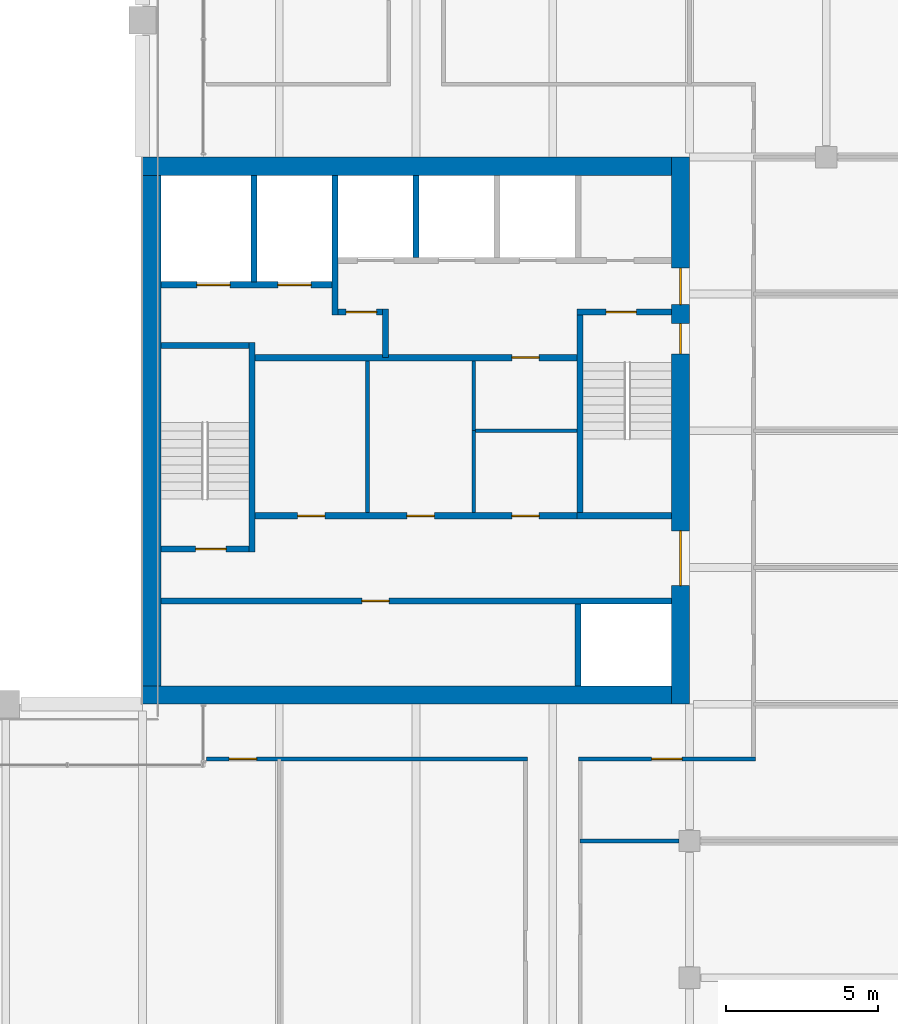
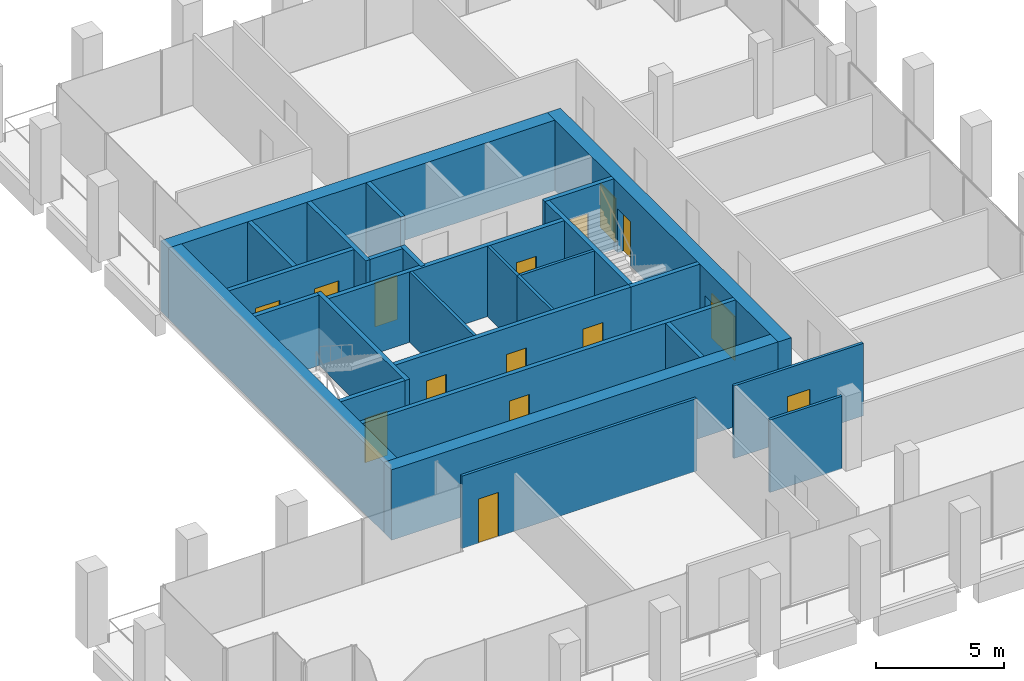
# One storey, part 38 of 44: 27 walls, 15 doors, 15 openings.
"""IFC4 building model written with IfcOpenShell, lengths in metres."""

from ifc_helpers import new_model, si_unit, direction, frame, frame_2d, origin, place, context, subcontext, project, spatial, rectangle, extrude, material, layer, layer_set, type_object, element, fill, save


model = new_model("IFC4")

# Units and contexts
model_context = context("Model", 3, precision=1e-05, world=origin(), true_north=direction((0.0, 1.0)))
body_context = subcontext(model_context, "Body", "Model", "MODEL_VIEW")
ifc_project = project(units=[si_unit("LENGTHUNIT", "METRE"), si_unit("AREAUNIT", "SQUARE_METRE"), si_unit("VOLUMEUNIT", "CUBIC_METRE"), si_unit("PLANEANGLEUNIT", "RADIAN"), si_unit("MASSUNIT", "GRAM", prefix="KILO")], contexts=[model_context])

# Site, building, storey
site_placement = place(None, origin())
site = spatial("IfcSite", under=ifc_project, at=site_placement, CompositionType="ELEMENT")
building_placement = place(site_placement, origin())
building = spatial("IfcBuilding", under=site, at=building_placement, Name="Altepetl Exchange Towers", CompositionType="ELEMENT")
storey_placement = place(building_placement, frame((0.0, 0.0, 143.800048828125)))
storey = spatial("IfcBuildingStorey", under=building, at=storey_placement, Name="L35", CompositionType="ELEMENT", Elevation=143.800048828125)

# Wall, openings, doors
ifc_material_1 = material(Name="Concrete C70/85", Category="concrete")
ifc_layer_1 = layer(ifc_material_1, 0.60009765625)
ifc_layer_set_1 = layer_set([ifc_layer_1], Name="Concrete C70/85")
wall_type_1 = type_object("IfcWallType", Name="Core wall 600 reinforced concrete", PredefinedType="SHEAR", material=ifc_layer_set_1)
wall_1_placement = place(storey_placement, frame((58.199951171875, 40.5, 0.0), z_axis=(0.0, 0.0, 1.0), x_axis=(0.0, 1.0, 0.0)))
wall_1 = element("IfcWall", 1, at=wall_1_placement, inside=storey, type_object=wall_type_1, Name="wall:A:L35:K-coreE", PredefinedType="SHEAR", context=body_context, shape_type="SweptSolid", body=[
    extrude(rectangle(XDim=18.0, YDim=0.60009765625, at=frame_2d((9.0, 0.0))), origin(), (0.0, 0.0, 1.0), 3.349853515625),
])
opening_1_placement = place(wall_1_placement, frame((13.14990234375, 0.0, 0.0)))
opening_1 = element("IfcOpeningElement", 2, at=opening_1_placement, cuts=wall_1, Name="Opening L35.A60", PredefinedType="OPENING", context=body_context, shape_type="SweptSolid", body=[
    extrude(rectangle(XDim=1.199951171875, YDim=2.10009765625, at=frame_2d((0.60009765625, 1.050048828125))), frame((0.0, 0.31005859375, 0.0), z_axis=(0.0, -1.0, 0.0), x_axis=(1.0, 0.0, 0.0)), (0.0, 0.0, 1.0), 0.6201171875),
])
opening_2_placement = place(wall_1_placement, frame((3.89990234375, 0.0, 0.0)))
opening_2 = element("IfcOpeningElement", 3, at=opening_2_placement, cuts=wall_1, Name="Opening L35.A61", PredefinedType="OPENING", context=body_context, shape_type="SweptSolid", body=[
    extrude(rectangle(XDim=1.800048828125, YDim=2.10009765625, at=frame_2d((0.89990234375, 1.050048828125))), frame((0.0, 0.31005859375, 0.0), z_axis=(0.0, -1.0, 0.0), x_axis=(1.0, 0.0, 0.0)), (0.0, 0.0, 1.0), 0.6201171875),
])
opening_3_placement = place(wall_1_placement, frame((11.52490234375, 0.0, 0.0)))
opening_3 = element("IfcOpeningElement", 4, at=opening_3_placement, cuts=wall_1, Name="Opening L35.A64", PredefinedType="OPENING", context=body_context, shape_type="SweptSolid", body=[
    extrude(rectangle(XDim=1.0, YDim=2.10009765625, at=frame_2d((0.5, 1.050048828125))), frame((0.0, 0.31005859375, 0.0), z_axis=(0.0, -1.0, 0.0), x_axis=(1.0, 0.0, 0.0)), (0.0, 0.0, 1.0), 0.6201171875),
])
ifc_material_2 = material(Name="Steel and timber fire door", Category="steel")
door_type_1 = type_object("IfcDoorType", Name="Fire door 1000 x 2100 stair and lobby", OperationType="SINGLE_SWING_LEFT", PredefinedType="DOOR", material=ifc_material_2)
door_1_placement = place(opening_3_placement, origin())
door_1 = element("IfcDoor", 5, at=door_1_placement, inside=storey, type_object=door_type_1, Name="door:A:L35:K-dS2x", OperationType="SINGLE_SWING_RIGHT", OverallHeight=2.10009765625, OverallWidth=1.0, PredefinedType="DOOR", context=body_context, shape_type="SweptSolid", body=[
    extrude(rectangle(XDim=1.0, YDim=2.10009765625, at=frame_2d((0.5, 1.050048828125))), frame((0.0, 0.02490234375, 0.0), z_axis=(0.0, -1.0, 0.0), x_axis=(1.0, 0.0, 0.0)), (0.0, 0.0, 1.0), 0.050048828125),
])
fill(opening_3, door_1)
door_type_2 = type_object("IfcDoorType", Name="Fire door 1200 x 2100 lobby entry", OperationType="SINGLE_SWING_LEFT", PredefinedType="DOOR", material=ifc_material_2)
door_2_placement = place(opening_1_placement, origin())
door_2 = element("IfcDoor", 6, at=door_2_placement, inside=storey, type_object=door_type_2, Name="door:A:L35:K-dLNE", OperationType="SINGLE_SWING_RIGHT", OverallHeight=2.10009765625, OverallWidth=1.199951171875, PredefinedType="DOOR", context=body_context, shape_type="SweptSolid", body=[
    extrude(rectangle(XDim=1.199951171875, YDim=2.10009765625, at=frame_2d((0.60009765625, 1.050048828125))), frame((0.0, 0.02490234375, 0.0), z_axis=(0.0, -1.0, 0.0), x_axis=(1.0, 0.0, 0.0)), (0.0, 0.0, 1.0), 0.050048828125),
])
fill(opening_1, door_2)
door_type_3 = type_object("IfcDoorType", Name="Fire door 1800 x 2100 lobby entry", OperationType="DOUBLE_DOOR_SINGLE_SWING", PredefinedType="DOOR", material=ifc_material_2)
door_3_placement = place(opening_2_placement, origin())
door_3 = element("IfcDoor", 7, at=door_3_placement, inside=storey, type_object=door_type_3, Name="door:A:L35:K-dLSE", OperationType="DOUBLE_DOOR_SINGLE_SWING", OverallHeight=2.10009765625, OverallWidth=1.800048828125, PredefinedType="DOOR", context=body_context, shape_type="SweptSolid", body=[
    extrude(rectangle(XDim=1.800048828125, YDim=2.10009765625, at=frame_2d((0.89990234375, 1.050048828125))), frame((0.0, 0.02490234375, 0.0), z_axis=(0.0, -1.0, 0.0), x_axis=(1.0, 0.0, 0.0)), (0.0, 0.0, 1.0), 0.050048828125),
])
fill(opening_2, door_3)

# Walls
for number, where, name in (
    (8, (40.5, 58.199951171875, 0.0), "wall:A:L35:K-coreN"),
    (9, (40.5, 40.800048828125, 0.0), "wall:A:L35:K-coreS"),
):
    element("IfcWall", number, at=place(storey_placement, frame(where)), inside=storey, type_object=wall_type_1, Name=name, PredefinedType="SHEAR", context=body_context, shape_type="SweptSolid", body=[
        extrude(rectangle(XDim=17.39990234375, YDim=0.60009765625, at=frame_2d((8.699951171875, 0.0))), origin(), (0.0, 0.0, 1.0), 3.349853515625),
    ])
ifc_layer_2 = layer(ifc_material_1, 0.60009765625)
ifc_layer_set_2 = layer_set([ifc_layer_2], Name="Concrete C70/85")
wall_type_2 = type_object("IfcWallType", Name="Core wall 600 reinforced concrete external", PredefinedType="SHEAR", material=ifc_layer_set_2)
wall_2_placement = place(storey_placement, frame((40.800048828125, 41.10009765625, 0.0), z_axis=(0.0, 0.0, 1.0), x_axis=(0.0, 1.0, 0.0)))
element("IfcWall", 10, at=wall_2_placement, inside=storey, type_object=wall_type_2, Name="wall:A:L35:K-coreW", PredefinedType="SHEAR", context=body_context, shape_type="SweptSolid", body=[
    extrude(rectangle(XDim=16.7998046875, YDim=0.60009765625, at=frame_2d((8.39990234375, 0.0))), origin(), (0.0, 0.0, 1.0), 3.349853515625),
])
ifc_material_3 = material(Name="Concrete blockwork", Category="masonry")
ifc_layer_3 = layer(ifc_material_3, 0.199951171875)
ifc_layer_set_3 = layer_set([ifc_layer_3], Name="Concrete blockwork")
wall_type_3 = type_object("IfcWallType", Name="Lobby wall 200 blockwork", PredefinedType="PARTITIONING", material=ifc_layer_set_3)
wall_3_placement = place(storey_placement, frame((48.5, 51.89990234375, 0.0), z_axis=(0.0, 0.0, 1.0), x_axis=(0.0, 1.0, 0.0)))
element("IfcWall", 11, at=wall_3_placement, inside=storey, type_object=wall_type_3, Name="wall:A:L35:K-ffE", PredefinedType="PARTITIONING", context=body_context, shape_type="SweptSolid", body=[
    extrude(rectangle(XDim=1.60009765625, YDim=0.199951171875, at=frame_2d((0.800048828125, 0.0))), origin(), (0.0, 0.0, 1.0), 3.349853515625),
])

# Wall, opening, door
wall_4_placement = place(storey_placement, frame((46.933349609375, 53.39990234375, 0.0)))
wall_4 = element("IfcWall", 12, at=wall_4_placement, inside=storey, type_object=wall_type_3, Name="wall:A:L35:K-ffN", PredefinedType="PARTITIONING", context=body_context, shape_type="SweptSolid", body=[
    extrude(rectangle(XDim=1.466552734375, YDim=0.199951171875, at=frame_2d((0.7333984375, 0.0))), origin(), (0.0, 0.0, 1.0), 3.349853515625),
])
opening_4_placement = place(wall_4_placement, frame((0.2666015625, 0.0, 0.0)))
opening_4 = element("IfcOpeningElement", 13, at=opening_4_placement, cuts=wall_4, Name="Opening L35.A65", PredefinedType="OPENING", context=body_context, shape_type="SweptSolid", body=[
    extrude(rectangle(XDim=1.0, YDim=2.10009765625, at=frame_2d((0.5, 1.050048828125))), frame((0.0, 0.10986328125, 0.0), z_axis=(0.0, -1.0, 0.0), x_axis=(1.0, 0.0, 0.0)), (0.0, 0.0, 1.0), 0.219970703125),
])
door_4_placement = place(opening_4_placement, frame((1.0, 0.0, 0.0), x_axis=(-1.0, 0.0, 0.0)))
door_4 = element("IfcDoor", 14, at=door_4_placement, inside=storey, type_object=door_type_1, Name="door:A:L35:K-dffN", OperationType="SINGLE_SWING_RIGHT", OverallHeight=2.10009765625, OverallWidth=1.0, PredefinedType="DOOR", context=body_context, shape_type="SweptSolid", body=[
    extrude(rectangle(XDim=1.0, YDim=2.10009765625, at=frame_2d((0.5, 1.050048828125))), frame((0.0, 0.02490234375, 0.0), z_axis=(0.0, -1.0, 0.0), x_axis=(1.0, 0.0, 0.0)), (0.0, 0.0, 1.0), 0.050048828125),
])
fill(opening_4, door_4)

wall_5_placement = place(storey_placement, frame((44.199951171875, 51.89990234375, 0.0)))
wall_5 = element("IfcWall", 15, at=wall_5_placement, inside=storey, type_object=wall_type_3, Name="wall:A:L35:K-zoneN", PredefinedType="PARTITIONING", context=body_context, shape_type="SweptSolid", body=[
    extrude(rectangle(XDim=10.60009765625, YDim=0.199951171875, at=frame_2d((5.300048828125, 0.0))), origin(), (0.0, 0.0, 1.0), 3.349853515625),
])
opening_5_placement = place(wall_5_placement, frame((8.449951171875, 0.0, 0.0)))
opening_5 = element("IfcOpeningElement", 16, at=opening_5_placement, cuts=wall_5, Name="Opening L35.A71", PredefinedType="OPENING", context=body_context, shape_type="SweptSolid", body=[
    extrude(rectangle(XDim=0.89990234375, YDim=2.10009765625, at=frame_2d((0.449951171875, 1.050048828125))), frame((0.0, 0.10986328125, 0.0), z_axis=(0.0, -1.0, 0.0), x_axis=(1.0, 0.0, 0.0)), (0.0, 0.0, 1.0), 0.219970703125),
])
door_type_4 = type_object("IfcDoorType", Name="Fire door 900 x 2100 service room", OperationType="SINGLE_SWING_LEFT", PredefinedType="DOOR", material=ifc_material_2)
door_5_placement = place(opening_5_placement, frame((0.89990234375, 0.0, 0.0), x_axis=(-1.0, 0.0, 0.0)))
door_5 = element("IfcDoor", 17, at=door_5_placement, inside=storey, type_object=door_type_4, Name="door:A:L35:K-dz4", OperationType="SINGLE_SWING_LEFT", OverallHeight=2.10009765625, OverallWidth=0.89990234375, PredefinedType="DOOR", context=body_context, shape_type="SweptSolid", body=[
    extrude(rectangle(XDim=0.89990234375, YDim=2.10009765625, at=frame_2d((0.449951171875, 1.050048828125))), frame((0.0, 0.02490234375, 0.0), z_axis=(0.0, -1.0, 0.0), x_axis=(1.0, 0.0, 0.0)), (0.0, 0.0, 1.0), 0.050048828125),
])
fill(opening_5, door_5)

# Wall, openings, doors
wall_6_placement = place(storey_placement, frame((44.199951171875, 46.699951171875, 0.0)))
wall_6 = element("IfcWall", 18, at=wall_6_placement, inside=storey, type_object=wall_type_3, Name="wall:A:L35:K-zoneS", PredefinedType="PARTITIONING", context=body_context, shape_type="SweptSolid", body=[
    extrude(rectangle(XDim=10.60009765625, YDim=0.199951171875, at=frame_2d((5.300048828125, 0.0))), origin(), (0.0, 0.0, 1.0), 3.349853515625),
])
opening_6_placement = place(wall_6_placement, frame((1.39990234375, 0.0, 0.0)))
opening_6 = element("IfcOpeningElement", 19, at=opening_6_placement, cuts=wall_6, Name="Opening L35.A68", PredefinedType="OPENING", context=body_context, shape_type="SweptSolid", body=[
    extrude(rectangle(XDim=0.89990234375, YDim=2.10009765625, at=frame_2d((0.449951171875, 1.050048828125))), frame((0.0, 0.10986328125, 0.0), z_axis=(0.0, -1.0, 0.0), x_axis=(1.0, 0.0, 0.0)), (0.0, 0.0, 1.0), 0.219970703125),
])
opening_7_placement = place(wall_6_placement, frame((5.0, 0.0, 0.0)))
opening_7 = element("IfcOpeningElement", 20, at=opening_7_placement, cuts=wall_6, Name="Opening L35.A69", PredefinedType="OPENING", context=body_context, shape_type="SweptSolid", body=[
    extrude(rectangle(XDim=0.89990234375, YDim=2.10009765625, at=frame_2d((0.449951171875, 1.050048828125))), frame((0.0, 0.10986328125, 0.0), z_axis=(0.0, -1.0, 0.0), x_axis=(1.0, 0.0, 0.0)), (0.0, 0.0, 1.0), 0.219970703125),
])
opening_8_placement = place(wall_6_placement, frame((8.449951171875, 0.0, 0.0)))
opening_8 = element("IfcOpeningElement", 21, at=opening_8_placement, cuts=wall_6, Name="Opening L35.A70", PredefinedType="OPENING", context=body_context, shape_type="SweptSolid", body=[
    extrude(rectangle(XDim=0.89990234375, YDim=2.10009765625, at=frame_2d((0.449951171875, 1.050048828125))), frame((0.0, 0.10986328125, 0.0), z_axis=(0.0, -1.0, 0.0), x_axis=(1.0, 0.0, 0.0)), (0.0, 0.0, 1.0), 0.219970703125),
])
door_6_placement = place(opening_6_placement, origin())
door_6 = element("IfcDoor", 22, at=door_6_placement, inside=storey, type_object=door_type_4, Name="door:A:L35:K-dz1", OperationType="SINGLE_SWING_LEFT", OverallHeight=2.10009765625, OverallWidth=0.89990234375, PredefinedType="DOOR", context=body_context, shape_type="SweptSolid", body=[
    extrude(rectangle(XDim=0.89990234375, YDim=2.10009765625, at=frame_2d((0.449951171875, 1.050048828125))), frame((0.0, 0.02490234375, 0.0), z_axis=(0.0, -1.0, 0.0), x_axis=(1.0, 0.0, 0.0)), (0.0, 0.0, 1.0), 0.050048828125),
])
fill(opening_6, door_6)
door_7_placement = place(opening_7_placement, origin())
door_7 = element("IfcDoor", 23, at=door_7_placement, inside=storey, type_object=door_type_4, Name="door:A:L35:K-dz2", OperationType="SINGLE_SWING_RIGHT", OverallHeight=2.10009765625, OverallWidth=0.89990234375, PredefinedType="DOOR", context=body_context, shape_type="SweptSolid", body=[
    extrude(rectangle(XDim=0.89990234375, YDim=2.10009765625, at=frame_2d((0.449951171875, 1.050048828125))), frame((0.0, 0.02490234375, 0.0), z_axis=(0.0, -1.0, 0.0), x_axis=(1.0, 0.0, 0.0)), (0.0, 0.0, 1.0), 0.050048828125),
])
fill(opening_7, door_7)
door_8_placement = place(opening_8_placement, origin())
door_8 = element("IfcDoor", 24, at=door_8_placement, inside=storey, type_object=door_type_4, Name="door:A:L35:K-dz3", OperationType="SINGLE_SWING_RIGHT", OverallHeight=2.10009765625, OverallWidth=0.89990234375, PredefinedType="DOOR", context=body_context, shape_type="SweptSolid", body=[
    extrude(rectangle(XDim=0.89990234375, YDim=2.10009765625, at=frame_2d((0.449951171875, 1.050048828125))), frame((0.0, 0.02490234375, 0.0), z_axis=(0.0, -1.0, 0.0), x_axis=(1.0, 0.0, 0.0)), (0.0, 0.0, 1.0), 0.050048828125),
])
fill(opening_8, door_8)

# Walls
ifc_material_4 = material(Name="Gypsum board on steel studs", Category="steel")
ifc_layer_4 = layer(ifc_material_4, 0.125)
ifc_layer_set_4 = layer_set([ifc_layer_4], Name="Gypsum board on steel studs")
wall_type_4 = type_object("IfcWallType", Name="Partition 125 gypsum board on steel studs", PredefinedType="PARTITIONING", material=ifc_layer_set_4)
wall_7_placement = place(storey_placement, frame((47.89990234375, 46.800048828125, 0.0), z_axis=(0.0, 0.0, 1.0), x_axis=(0.0, 1.0, 0.0)))
element("IfcWall", 25, at=wall_7_placement, inside=storey, type_object=wall_type_4, Name="wall:A:L35:K-zp1", PredefinedType="PARTITIONING", context=body_context, shape_type="SweptSolid", body=[
    extrude(rectangle(XDim=5.0, YDim=0.125, at=frame_2d((2.5, 0.0))), origin(), (0.0, 0.0, 1.0), 3.349853515625),
])
wall_8_placement = place(storey_placement, frame((51.39990234375, 46.800048828125, 0.0), z_axis=(0.0, 0.0, 1.0), x_axis=(0.0, 1.0, 0.0)))
element("IfcWall", 26, at=wall_8_placement, inside=storey, type_object=wall_type_4, Name="wall:A:L35:K-zp2", PredefinedType="PARTITIONING", context=body_context, shape_type="SweptSolid", body=[
    extrude(rectangle(XDim=2.762451171875, YDim=0.125, at=frame_2d((1.38134765625, 0.0))), origin(), (0.0, 0.0, 1.0), 3.349853515625),
])
wall_9_placement = place(storey_placement, frame((54.800048828125, 49.5, 0.0), z_axis=(0.0, 0.0, 1.0), x_axis=(-1.0, 0.0, 0.0)))
element("IfcWall", 27, at=wall_9_placement, inside=storey, type_object=wall_type_4, Name="wall:A:L35:K-zp3", PredefinedType="PARTITIONING", context=body_context, shape_type="SweptSolid", body=[
    extrude(rectangle(XDim=3.337646484375, YDim=0.125, at=frame_2d((1.6689453125, 0.0))), origin(), (0.0, 0.0, 1.0), 3.349853515625),
])
wall_10_placement = place(storey_placement, frame((51.39990234375, 49.5, 0.0), z_axis=(0.0, 0.0, 1.0), x_axis=(0.0, 1.0, 0.0)))
element("IfcWall", 28, at=wall_10_placement, inside=storey, type_object=wall_type_4, Name="wall:A:L35:K-zp4", PredefinedType="PARTITIONING", context=body_context, shape_type="SweptSolid", body=[
    extrude(rectangle(XDim=2.300048828125, YDim=0.125, at=frame_2d((1.14990234375, 0.0))), origin(), (0.0, 0.0, 1.0), 3.349853515625),
])
wall_11_placement = place(storey_placement, frame((54.89990234375, 36.0, 0.0)))
element("IfcWall", 29, at=wall_11_placement, inside=storey, type_object=wall_type_4, Name="wall:A:L35:P01", PredefinedType="PARTITIONING", context=body_context, shape_type="SweptSolid", body=[
    extrude(rectangle(XDim=3.25, YDim=0.125, at=frame_2d((1.625, 0.0))), origin(), (0.0, 0.0, 1.0), 3.449951171875),
])

# Wall, opening, door
wall_12_placement = place(storey_placement, frame((42.60009765625, 38.699951171875, 0.0)))
wall_12 = element("IfcWall", 30, at=wall_12_placement, inside=storey, type_object=wall_type_4, Name="wall:A:L35:P03", PredefinedType="PARTITIONING", context=body_context, shape_type="SweptSolid", body=[
    extrude(rectangle(XDim=10.5625, YDim=0.125, at=frame_2d((5.28125, 0.0))), origin(), (0.0, 0.0, 1.0), 3.449951171875),
])
opening_9_placement = place(wall_12_placement, frame((0.75, 0.0, 0.0)))
opening_9 = element("IfcOpeningElement", 31, at=opening_9_placement, cuts=wall_12, Name="Opening L35.A01", PredefinedType="OPENING", context=body_context, shape_type="SweptSolid", body=[
    extrude(rectangle(XDim=0.89990234375, YDim=2.10009765625, at=frame_2d((0.449951171875, 1.050048828125))), frame((0.0, 0.072509765625, 0.0), z_axis=(0.0, -1.0, 0.0), x_axis=(1.0, 0.0, 0.0)), (0.0, 0.0, 1.0), 0.14501953125),
])
door_type_5 = type_object("IfcDoorType", Name="Fire door 900 x 2100 single leaf", OperationType="SINGLE_SWING_LEFT", PredefinedType="DOOR", material=ifc_material_2)
door_9_placement = place(opening_9_placement, frame((0.89990234375, 0.0, 0.0), x_axis=(-1.0, 0.0, 0.0)))
door_9 = element("IfcDoor", 32, at=door_9_placement, inside=storey, type_object=door_type_5, Name="door:A:L35:01", OperationType="SINGLE_SWING_RIGHT", OverallHeight=2.10009765625, OverallWidth=0.89990234375, PredefinedType="DOOR", context=body_context, shape_type="SweptSolid", body=[
    extrude(rectangle(XDim=0.89990234375, YDim=2.10009765625, at=frame_2d((0.449951171875, 1.050048828125))), frame((0.0, 0.02490234375, 0.0), z_axis=(0.0, -1.0, 0.0), x_axis=(1.0, 0.0, 0.0)), (0.0, 0.0, 1.0), 0.050048828125),
])
fill(opening_9, door_9)

wall_13_placement = place(storey_placement, frame((54.83740234375, 38.699951171875, 0.0)))
wall_13 = element("IfcWall", 33, at=wall_13_placement, inside=storey, type_object=wall_type_4, Name="wall:A:L35:P04", PredefinedType="PARTITIONING", context=body_context, shape_type="SweptSolid", body=[
    extrude(rectangle(XDim=5.8251953125, YDim=0.125, at=frame_2d((2.91259765625, 0.0))), origin(), (0.0, 0.0, 1.0), 3.449951171875),
])
opening_10_placement = place(wall_13_placement, frame((2.41259765625, 0.0, 0.0)))
opening_10 = element("IfcOpeningElement", 34, at=opening_10_placement, cuts=wall_13, Name="Opening L35.A04", PredefinedType="OPENING", context=body_context, shape_type="SweptSolid", body=[
    extrude(rectangle(XDim=1.0, YDim=2.10009765625, at=frame_2d((0.5, 1.050048828125))), frame((0.0, 0.072509765625, 0.0), z_axis=(0.0, -1.0, 0.0), x_axis=(1.0, 0.0, 0.0)), (0.0, 0.0, 1.0), 0.14501953125),
])
door_type_6 = type_object("IfcDoorType", Name="Fire door 1000 x 2100 single leaf", OperationType="SINGLE_SWING_LEFT", PredefinedType="DOOR", material=ifc_material_2)
door_10_placement = place(opening_10_placement, frame((1.0, 0.0, 0.0), x_axis=(-1.0, 0.0, 0.0)))
door_10 = element("IfcDoor", 35, at=door_10_placement, inside=storey, type_object=door_type_6, Name="door:A:L35:04", OperationType="SINGLE_SWING_RIGHT", OverallHeight=2.10009765625, OverallWidth=1.0, PredefinedType="DOOR", context=body_context, shape_type="SweptSolid", body=[
    extrude(rectangle(XDim=1.0, YDim=2.10009765625, at=frame_2d((0.5, 1.050048828125))), frame((0.0, 0.02490234375, 0.0), z_axis=(0.0, -1.0, 0.0), x_axis=(1.0, 0.0, 0.0)), (0.0, 0.0, 1.0), 0.050048828125),
])
fill(opening_10, door_10)

# Walls
ifc_material_5 = material(Name="Concrete C40/50", Category="concrete")
ifc_layer_5 = layer(ifc_material_5, 0.199951171875)
ifc_layer_set_5 = layer_set([ifc_layer_5], Name="Concrete C40/50")
wall_type_5 = type_object("IfcWallType", Name="Shaft wall 200 reinforced concrete", PredefinedType="SHEAR", material=ifc_layer_set_5)
wall_14_placement = place(storey_placement, frame((44.166748046875, 57.89990234375, 0.0), z_axis=(0.0, 0.0, 1.0), x_axis=(0.0, -1.0, 0.0)))
element("IfcWall", 36, at=wall_14_placement, inside=storey, type_object=wall_type_5, Name="wall:A:L35:K-divN1", PredefinedType="SHEAR", context=body_context, shape_type="SweptSolid", body=[
    extrude(rectangle(XDim=3.5, YDim=0.199951171875, at=frame_2d((1.75, 0.0))), origin(), (0.0, 0.0, 1.0), 3.349853515625),
])
wall_15_placement = place(storey_placement, frame((46.833251953125, 57.89990234375, 0.0), z_axis=(0.0, 0.0, 1.0), x_axis=(0.0, -1.0, 0.0)))
element("IfcWall", 37, at=wall_15_placement, inside=storey, type_object=wall_type_5, Name="wall:A:L35:K-divN2", PredefinedType="SHEAR", context=body_context, shape_type="SweptSolid", body=[
    extrude(rectangle(XDim=4.599853515625, YDim=0.199951171875, at=frame_2d((2.2998046875, 0.0))), origin(), (0.0, 0.0, 1.0), 3.349853515625),
])
for number, where, z_axis, x_axis, name in (
    (38, (49.5, 57.89990234375, 0.0), (0.0, 0.0, 1.0), (0.0, -1.0, 0.0), "wall:A:L35:K-divN3"),
    (39, (54.833251953125, 41.10009765625, 0.0), (0.0, 0.0, 1.0), (0.0, 1.0, 0.0), "wall:A:L35:K-divS5"),
):
    element("IfcWall", number, at=place(storey_placement, frame(where, z_axis=z_axis, x_axis=x_axis)), inside=storey, type_object=wall_type_5, Name=name, PredefinedType="SHEAR", context=body_context, shape_type="SweptSolid", body=[
        extrude(rectangle(XDim=2.699951171875, YDim=0.199951171875, at=frame_2d((1.35009765625, 0.0))), origin(), (0.0, 0.0, 1.0), 3.349853515625),
    ])

# Wall, openings, doors
wall_16_placement = place(storey_placement, frame((41.10009765625, 54.300048828125, 0.0)))
wall_16 = element("IfcWall", 40, at=wall_16_placement, inside=storey, type_object=wall_type_5, Name="wall:A:L35:K-frontNd", PredefinedType="SHEAR", context=body_context, shape_type="SweptSolid", body=[
    extrude(rectangle(XDim=5.63330078125, YDim=0.199951171875, at=frame_2d((2.816650390625, 0.0))), origin(), (0.0, 0.0, 1.0), 3.349853515625),
])
opening_11_placement = place(wall_16_placement, frame((1.183349609375, 0.0, 0.0)))
opening_11 = element("IfcOpeningElement", 41, at=opening_11_placement, cuts=wall_16, Name="Opening L35.A72", PredefinedType="OPENING", context=body_context, shape_type="SweptSolid", body=[
    extrude(rectangle(XDim=1.10009765625, YDim=2.10009765625, at=frame_2d((0.550048828125, 1.050048828125))), frame((0.0, 0.10986328125, 0.0), z_axis=(0.0, -1.0, 0.0), x_axis=(1.0, 0.0, 0.0)), (0.0, 0.0, 1.0), 0.219970703125),
])
opening_12_placement = place(wall_16_placement, frame((3.85009765625, 0.0, 0.0)))
opening_12 = element("IfcOpeningElement", 42, at=opening_12_placement, cuts=wall_16, Name="Opening L35.A73", PredefinedType="OPENING", context=body_context, shape_type="SweptSolid", body=[
    extrude(rectangle(XDim=1.10009765625, YDim=2.10009765625, at=frame_2d((0.550048828125, 1.050048828125))), frame((0.0, 0.10986328125, 0.0), z_axis=(0.0, -1.0, 0.0), x_axis=(1.0, 0.0, 0.0)), (0.0, 0.0, 1.0), 0.219970703125),
])
ifc_material_6 = material(Name="Stainless steel", Category="steel")
door_type_7 = type_object("IfcDoorType", Name="Lift landing door 1100 x 2100", OperationType="SLIDING_TO_LEFT", PredefinedType="DOOR", material=ifc_material_6)
door_11_placement = place(opening_11_placement, origin())
door_11 = element("IfcDoor", 43, at=door_11_placement, inside=storey, type_object=door_type_7, Name="Landing door FFL1", OperationType="SLIDING_TO_LEFT", OverallHeight=2.10009765625, OverallWidth=1.10009765625, PredefinedType="DOOR", context=body_context, shape_type="SweptSolid", body=[
    extrude(rectangle(XDim=1.10009765625, YDim=2.10009765625, at=frame_2d((0.550048828125, 1.050048828125))), frame((0.0, 0.02490234375, 0.0), z_axis=(0.0, -1.0, 0.0), x_axis=(1.0, 0.0, 0.0)), (0.0, 0.0, 1.0), 0.050048828125),
])
fill(opening_11, door_11)
door_12_placement = place(opening_12_placement, origin())
door_12 = element("IfcDoor", 44, at=door_12_placement, inside=storey, type_object=door_type_7, Name="Landing door FFL2", OperationType="SLIDING_TO_LEFT", OverallHeight=2.10009765625, OverallWidth=1.10009765625, PredefinedType="DOOR", context=body_context, shape_type="SweptSolid", body=[
    extrude(rectangle(XDim=1.10009765625, YDim=2.10009765625, at=frame_2d((0.550048828125, 1.050048828125))), frame((0.0, 0.02490234375, 0.0), z_axis=(0.0, -1.0, 0.0), x_axis=(1.0, 0.0, 0.0)), (0.0, 0.0, 1.0), 0.050048828125),
])
fill(opening_12, door_12)

# Wall, opening, door
wall_17_placement = place(storey_placement, frame((41.10009765625, 43.89990234375, 0.0)))
wall_17 = element("IfcWall", 45, at=wall_17_placement, inside=storey, type_object=wall_type_5, Name="wall:A:L35:K-frontS", PredefinedType="SHEAR", context=body_context, shape_type="SweptSolid", body=[
    extrude(rectangle(XDim=16.7998046875, YDim=0.199951171875, at=frame_2d((8.39990234375, 0.0))), origin(), (0.0, 0.0, 1.0), 3.349853515625),
])
opening_13_placement = place(wall_17_placement, frame((6.61669921875, 0.0, 0.0)))
opening_13 = element("IfcOpeningElement", 46, at=opening_13_placement, cuts=wall_17, Name="Opening L35.A67", PredefinedType="OPENING", context=body_context, shape_type="SweptSolid", body=[
    extrude(rectangle(XDim=0.89990234375, YDim=2.10009765625, at=frame_2d((0.449951171875, 1.050048828125))), frame((0.0, 0.10986328125, 0.0), z_axis=(0.0, -1.0, 0.0), x_axis=(1.0, 0.0, 0.0)), (0.0, 0.0, 1.0), 0.219970703125),
])
door_13_placement = place(opening_13_placement, frame((0.89990234375, 0.0, 0.0), x_axis=(-1.0, 0.0, 0.0)))
door_13 = element("IfcDoor", 47, at=door_13_placement, inside=storey, type_object=door_type_4, Name="door:A:L35:K-dslotS0", OperationType="SINGLE_SWING_LEFT", OverallHeight=2.10009765625, OverallWidth=0.89990234375, PredefinedType="DOOR", context=body_context, shape_type="SweptSolid", body=[
    extrude(rectangle(XDim=0.89990234375, YDim=2.10009765625, at=frame_2d((0.449951171875, 1.050048828125))), frame((0.0, 0.02490234375, 0.0), z_axis=(0.0, -1.0, 0.0), x_axis=(1.0, 0.0, 0.0)), (0.0, 0.0, 1.0), 0.050048828125),
])
fill(opening_13, door_13)

# Walls
ifc_layer_6 = layer(ifc_material_5, 0.199951171875)
ifc_layer_set_6 = layer_set([ifc_layer_6], Name="Concrete C40/50")
wall_type_6 = type_object("IfcWallType", Name="Stair wall 200 reinforced concrete", PredefinedType="SHEAR", material=ifc_layer_set_6)
wall_18_placement = place(storey_placement, frame((44.10009765625, 45.5, 0.0), z_axis=(0.0, 0.0, 1.0), x_axis=(0.0, 1.0, 0.0)))
element("IfcWall", 48, at=wall_18_placement, inside=storey, type_object=wall_type_6, Name="wall:A:L35:K-stS1E", PredefinedType="SHEAR", context=body_context, shape_type="SweptSolid", body=[
    extrude(rectangle(XDim=6.89990234375, YDim=0.199951171875, at=frame_2d((3.449951171875, 0.0))), origin(), (0.0, 0.0, 1.0), 3.349853515625),
])
wall_19_placement = place(storey_placement, frame((41.10009765625, 52.300048828125, 0.0)))
element("IfcWall", 49, at=wall_19_placement, inside=storey, type_object=wall_type_6, Name="wall:A:L35:K-stS1N", PredefinedType="SHEAR", context=body_context, shape_type="SweptSolid", body=[
    extrude(rectangle(XDim=2.89990234375, YDim=0.199951171875, at=frame_2d((1.449951171875, 0.0))), origin(), (0.0, 0.0, 1.0), 3.349853515625),
])

# Wall, opening, door
wall_20_placement = place(storey_placement, frame((41.10009765625, 45.60009765625, 0.0)))
wall_20 = element("IfcWall", 50, at=wall_20_placement, inside=storey, type_object=wall_type_6, Name="wall:A:L35:K-stS1S", PredefinedType="SHEAR", context=body_context, shape_type="SweptSolid", body=[
    extrude(rectangle(XDim=2.89990234375, YDim=0.199951171875, at=frame_2d((1.449951171875, 0.0))), origin(), (0.0, 0.0, 1.0), 3.349853515625),
])
opening_14_placement = place(wall_20_placement, frame((1.14990234375, 0.0, 0.0)))
opening_14 = element("IfcOpeningElement", 51, at=opening_14_placement, cuts=wall_20, Name="Opening L35.A62", PredefinedType="OPENING", context=body_context, shape_type="SweptSolid", body=[
    extrude(rectangle(XDim=1.0, YDim=2.10009765625, at=frame_2d((0.5, 1.050048828125))), frame((0.0, 0.10986328125, 0.0), z_axis=(0.0, -1.0, 0.0), x_axis=(1.0, 0.0, 0.0)), (0.0, 0.0, 1.0), 0.219970703125),
])
door_14_placement = place(opening_14_placement, origin())
door_14 = element("IfcDoor", 52, at=door_14_placement, inside=storey, type_object=door_type_1, Name="door:A:L35:K-dS1in", OperationType="SINGLE_SWING_RIGHT", OverallHeight=2.10009765625, OverallWidth=1.0, PredefinedType="DOOR", context=body_context, shape_type="SweptSolid", body=[
    extrude(rectangle(XDim=1.0, YDim=2.10009765625, at=frame_2d((0.5, 1.050048828125))), frame((0.0, 0.02490234375, 0.0), z_axis=(0.0, -1.0, 0.0), x_axis=(1.0, 0.0, 0.0)), (0.0, 0.0, 1.0), 0.050048828125),
])
fill(opening_14, door_14)

wall_21_placement = place(storey_placement, frame((54.800048828125, 53.39990234375, 0.0)))
wall_21 = element("IfcWall", 53, at=wall_21_placement, inside=storey, type_object=wall_type_6, Name="wall:A:L35:K-stS2N", PredefinedType="SHEAR", context=body_context, shape_type="SweptSolid", body=[
    extrude(rectangle(XDim=3.099853515625, YDim=0.199951171875, at=frame_2d((1.5498046875, 0.0))), origin(), (0.0, 0.0, 1.0), 3.349853515625),
])
opening_15_placement = place(wall_21_placement, frame((0.949951171875, 0.0, 0.0)))
opening_15 = element("IfcOpeningElement", 54, at=opening_15_placement, cuts=wall_21, Name="Opening L35.A63", PredefinedType="OPENING", context=body_context, shape_type="SweptSolid", body=[
    extrude(rectangle(XDim=1.0, YDim=2.10009765625, at=frame_2d((0.5, 1.050048828125))), frame((0.0, 0.10986328125, 0.0), z_axis=(0.0, -1.0, 0.0), x_axis=(1.0, 0.0, 0.0)), (0.0, 0.0, 1.0), 0.219970703125),
])
door_15_placement = place(opening_15_placement, frame((1.0, 0.0, 0.0), x_axis=(-1.0, 0.0, 0.0)))
door_15 = element("IfcDoor", 55, at=door_15_placement, inside=storey, type_object=door_type_1, Name="door:A:L35:K-dS2in", OperationType="SINGLE_SWING_LEFT", OverallHeight=2.10009765625, OverallWidth=1.0, PredefinedType="DOOR", context=body_context, shape_type="SweptSolid", body=[
    extrude(rectangle(XDim=1.0, YDim=2.10009765625, at=frame_2d((0.5, 1.050048828125))), frame((0.0, 0.02490234375, 0.0), z_axis=(0.0, -1.0, 0.0), x_axis=(1.0, 0.0, 0.0)), (0.0, 0.0, 1.0), 0.050048828125),
])
fill(opening_15, door_15)

# Walls
wall_22_placement = place(storey_placement, frame((54.800048828125, 46.699951171875, 0.0)))
element("IfcWall", 56, at=wall_22_placement, inside=storey, type_object=wall_type_6, Name="wall:A:L35:K-stS2S", PredefinedType="SHEAR", context=body_context, shape_type="SweptSolid", body=[
    extrude(rectangle(XDim=3.099853515625, YDim=0.199951171875, at=frame_2d((1.5498046875, 0.0))), origin(), (0.0, 0.0, 1.0), 3.349853515625),
])
wall_23_placement = place(storey_placement, frame((54.89990234375, 46.800048828125, 0.0), z_axis=(0.0, 0.0, 1.0), x_axis=(0.0, 1.0, 0.0)))
element("IfcWall", 57, at=wall_23_placement, inside=storey, type_object=wall_type_6, Name="wall:A:L35:K-stS2W", PredefinedType="SHEAR", context=body_context, shape_type="SweptSolid", body=[
    extrude(rectangle(XDim=6.5, YDim=0.199951171875, at=frame_2d((3.25, 0.0))), origin(), (0.0, 0.0, 1.0), 3.349853515625),
])

save(model, "model.ifc")
